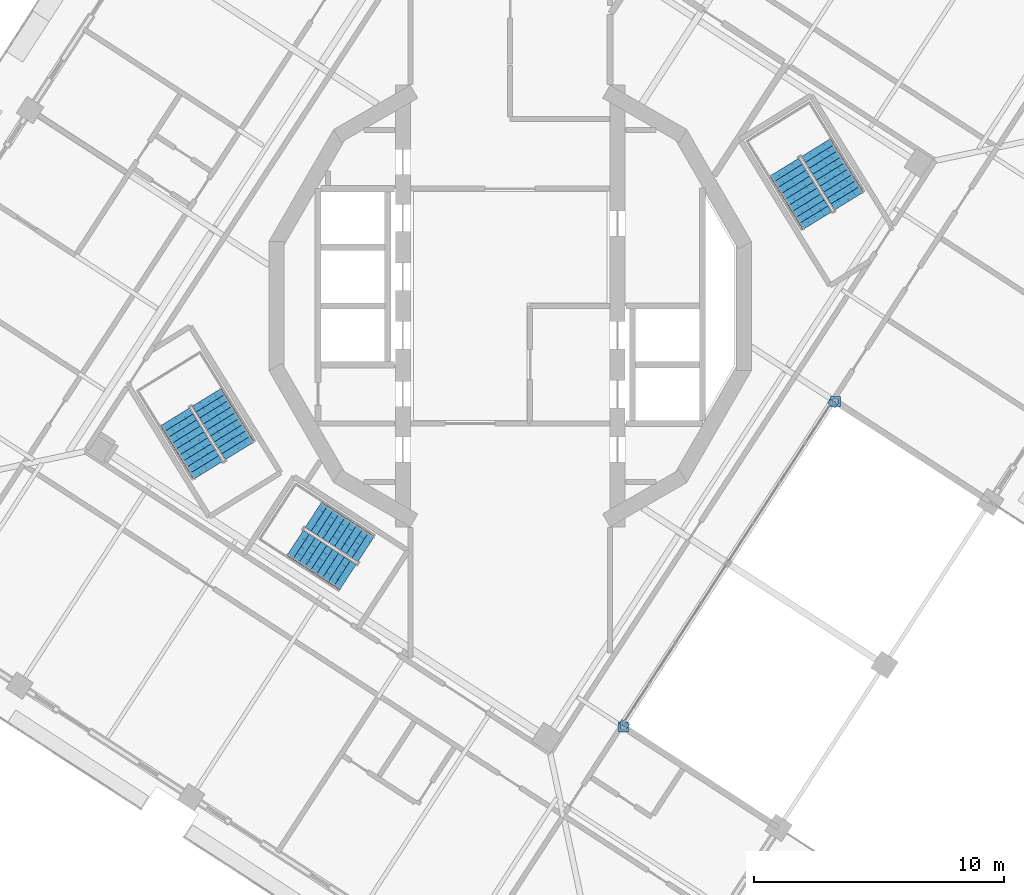
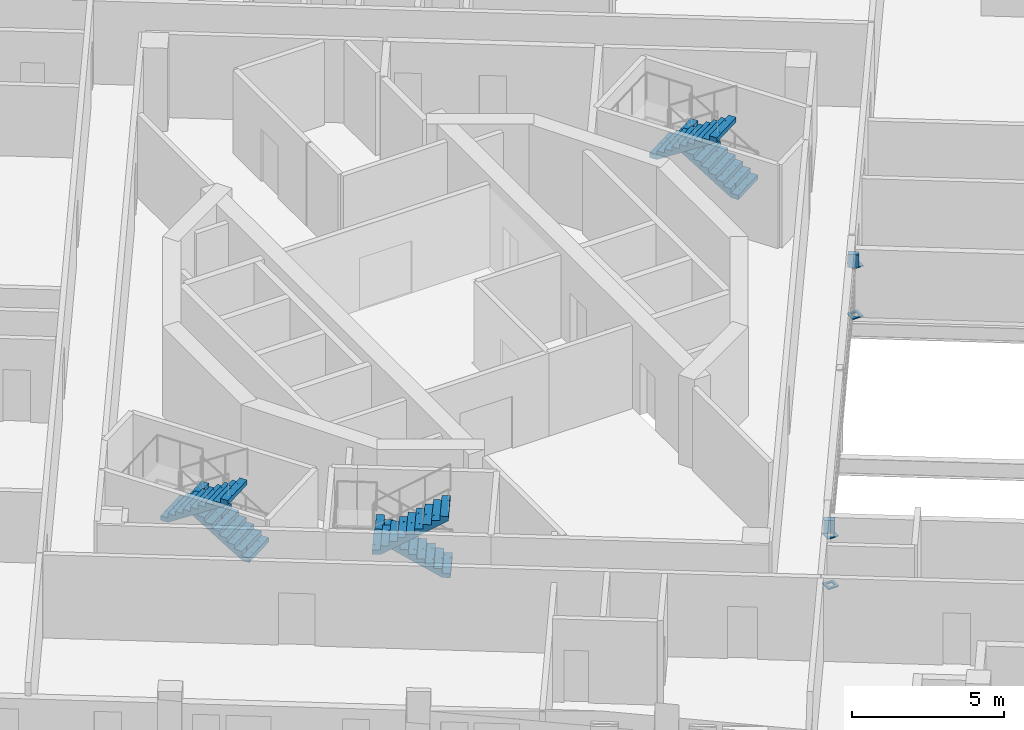
# One storey, part 11 of 17: 6 discrete accessories, 6 stair flights, 3 elements without a shape of their own.
"""IFC4 building model written with IfcOpenShell, lengths in metres."""

from ifc_helpers import new_model, si_unit, direction, frame, origin, place, context, subcontext, project, spatial, polyline, outline, extrude, material, layer, layer_set, type_object, element, aggregate, save


model = new_model("IFC4")

# Units and contexts
model_context = context("Model", 3, precision=1e-05, world=origin(), true_north=direction((0.0, 1.0)))
body_context = subcontext(model_context, "Body", "Model", "MODEL_VIEW")
ifc_project = project(units=[si_unit("LENGTHUNIT", "METRE"), si_unit("AREAUNIT", "SQUARE_METRE"), si_unit("VOLUMEUNIT", "CUBIC_METRE"), si_unit("PLANEANGLEUNIT", "RADIAN"), si_unit("MASSUNIT", "GRAM", prefix="KILO")], contexts=[model_context])

# Site, building, storey
site_placement = place(None, origin())
site = spatial("IfcSite", under=ifc_project, at=site_placement, CompositionType="ELEMENT")
building_placement = place(site_placement, origin())
building = spatial("IfcBuilding", under=site, at=building_placement, Name="Cantera Rosa Tower", CompositionType="ELEMENT")
storey_placement = place(building_placement, frame((0.0, 0.0, 254.10009765625)))
storey = spatial("IfcBuildingStorey", under=building, at=storey_placement, Name="L56", CompositionType="ELEMENT", Elevation=254.10009765625)

# Stair, stair flights
ifc_material_1 = material(Name="Concrete C35/45", Category="concrete")
stair_type_1 = type_object("IfcStairType", Name="EXIT STAIR 1200 DOGLEG", PredefinedType="HALF_TURN_STAIR", material=ifc_material_1)
stair_1_placement = place(storey_placement, origin())
stair_1 = element("IfcStair", 1, at=stair_1_placement, inside=storey, type_object=stair_type_1, Name="L56 ST-53", PredefinedType="HALF_TURN_STAIR")
ifc_material_2 = material(Name="Concrete C35/45", Category="concrete")
stair_flight_type_1 = type_object("IfcStairFlightType", Name="STAIR FLIGHT 1200 R20x180", PredefinedType="STRAIGHT", material=ifc_material_2)
stair_flight_1_placement = place(storey_placement, frame((-5.76318359375, -9.728271484375, 0.0), z_axis=(0.0, 0.0, 1.0), x_axis=(-0.838670567945, 0.544639035015, 0.0)))
stair_flight_1 = element("IfcStairFlight", 2, at=stair_flight_1_placement, type_object=stair_flight_type_1, Name="ST-53 flight 1", NumberOfRisers=10, NumberOfTreads=9, PredefinedType="STRAIGHT", RiserHeight=0.18, TreadLength=0.28, context=body_context, shape_type="SweptSolid", body=[
    extrude(outline(polyline([(0.0, 0.0), (0.0, 0.179931640625), (0.280029296875, 0.179931640625), (0.280029296875, 0.360107421875), (0.56005859375, 0.360107421875), (0.56005859375, 0.5400390625), (0.840087890625, 0.5400390625), (0.840087890625, 0.719970703125), (1.1201171875, 0.719970703125), (1.1201171875, 0.89990234375), (1.39990234375, 0.89990234375), (1.39990234375, 1.080078125), (1.679931640625, 1.080078125), (1.679931640625, 1.260009765625), (1.9599609375, 1.260009765625), (1.9599609375, 1.43994140625), (2.239990234375, 1.43994140625), (2.239990234375, 1.6201171875), (2.52001953125, 1.6201171875), (2.52001953125, 1.800048828125), (2.52001953125, 1.44189453125), (0.277099609375, 0.0), (0.0, 0.0)])), frame((0.0, 0.60009765625, 0.0), z_axis=(0.0, -1.0, 0.0), x_axis=(1.0, 0.0, 0.0)), (0.0, 0.0, 1.0), 0.298583984375),
    extrude(outline(polyline([(0.0, 0.0), (0.0, 0.179931640625), (0.280029296875, 0.179931640625), (0.280029296875, 0.360107421875), (0.56005859375, 0.360107421875), (0.56005859375, 0.5400390625), (0.840087890625, 0.5400390625), (0.840087890625, 0.719970703125), (1.1201171875, 0.719970703125), (1.1201171875, 0.89990234375), (1.39990234375, 0.89990234375), (1.39990234375, 1.080078125), (1.679931640625, 1.080078125), (1.679931640625, 1.260009765625), (1.9599609375, 1.260009765625), (1.9599609375, 1.43994140625), (2.239990234375, 1.43994140625), (2.239990234375, 1.6201171875), (2.52001953125, 1.6201171875), (2.52001953125, 1.800048828125), (2.52001953125, 1.44189453125), (0.277099609375, 0.0), (0.0, 0.0)])), frame((0.0, 0.29931640625, 0.0), z_axis=(0.0, -1.0, 0.0), x_axis=(1.0, 0.0, 0.0)), (0.0, 0.0, 1.0), 0.298583984375),
    extrude(outline(polyline([(0.0, 0.0), (0.0, 0.179931640625), (0.280029296875, 0.179931640625), (0.280029296875, 0.360107421875), (0.56005859375, 0.360107421875), (0.56005859375, 0.5400390625), (0.840087890625, 0.5400390625), (0.840087890625, 0.719970703125), (1.1201171875, 0.719970703125), (1.1201171875, 0.89990234375), (1.39990234375, 0.89990234375), (1.39990234375, 1.080078125), (1.679931640625, 1.080078125), (1.679931640625, 1.260009765625), (1.9599609375, 1.260009765625), (1.9599609375, 1.43994140625), (2.239990234375, 1.43994140625), (2.239990234375, 1.6201171875), (2.52001953125, 1.6201171875), (2.52001953125, 1.800048828125), (2.52001953125, 1.44189453125), (0.277099609375, 0.0), (0.0, 0.0)])), frame((0.0, -0.0009765625, 0.0), z_axis=(0.0, -1.0, 0.0), x_axis=(1.0, 0.0, 0.0)), (0.0, 0.0, 1.0), 0.298583984375),
    extrude(outline(polyline([(0.0, 0.0), (0.0, 0.179931640625), (0.280029296875, 0.179931640625), (0.280029296875, 0.360107421875), (0.56005859375, 0.360107421875), (0.56005859375, 0.5400390625), (0.840087890625, 0.5400390625), (0.840087890625, 0.719970703125), (1.1201171875, 0.719970703125), (1.1201171875, 0.89990234375), (1.39990234375, 0.89990234375), (1.39990234375, 1.080078125), (1.679931640625, 1.080078125), (1.679931640625, 1.260009765625), (1.9599609375, 1.260009765625), (1.9599609375, 1.43994140625), (2.239990234375, 1.43994140625), (2.239990234375, 1.6201171875), (2.52001953125, 1.6201171875), (2.52001953125, 1.800048828125), (2.52001953125, 1.44189453125), (0.277099609375, 0.0), (0.0, 0.0)])), frame((0.0, -0.3017578125, 0.0), z_axis=(0.0, -1.0, 0.0), x_axis=(1.0, 0.0, 0.0)), (0.0, 0.0, 1.0), 0.298583984375),
])
stair_flight_2_placement = place(storey_placement, frame((-8.61181640625, -9.488037109375, 1.7998046875), z_axis=(0.0, 0.0, 1.0), x_axis=(0.838670567945, -0.544639035015, 0.0)))
stair_flight_2 = element("IfcStairFlight", 3, at=stair_flight_2_placement, type_object=stair_flight_type_1, Name="ST-53 flight 2", NumberOfRisers=10, NumberOfTreads=9, PredefinedType="STRAIGHT", RiserHeight=0.18, TreadLength=0.28, context=body_context, shape_type="SweptSolid", body=[
    extrude(outline(polyline([(0.0, 0.0), (0.0, 0.179931640625), (0.280029296875, 0.179931640625), (0.280029296875, 0.360107421875), (0.56005859375, 0.360107421875), (0.56005859375, 0.5400390625), (0.840087890625, 0.5400390625), (0.840087890625, 0.719970703125), (1.1201171875, 0.719970703125), (1.1201171875, 0.89990234375), (1.39990234375, 0.89990234375), (1.39990234375, 1.080078125), (1.679931640625, 1.080078125), (1.679931640625, 1.260009765625), (1.9599609375, 1.260009765625), (1.9599609375, 1.43994140625), (2.239990234375, 1.43994140625), (2.239990234375, 1.6201171875), (2.52001953125, 1.6201171875), (2.52001953125, 1.800048828125), (2.52001953125, 1.44189453125), (0.277099609375, 0.0), (0.0, 0.0)])), frame((0.0, 0.60009765625, 0.0), z_axis=(0.0, -1.0, 0.0), x_axis=(1.0, 0.0, 0.0)), (0.0, 0.0, 1.0), 0.298583984375),
    extrude(outline(polyline([(0.0, 0.0), (0.0, 0.179931640625), (0.280029296875, 0.179931640625), (0.280029296875, 0.360107421875), (0.56005859375, 0.360107421875), (0.56005859375, 0.5400390625), (0.840087890625, 0.5400390625), (0.840087890625, 0.719970703125), (1.1201171875, 0.719970703125), (1.1201171875, 0.89990234375), (1.39990234375, 0.89990234375), (1.39990234375, 1.080078125), (1.679931640625, 1.080078125), (1.679931640625, 1.260009765625), (1.9599609375, 1.260009765625), (1.9599609375, 1.43994140625), (2.239990234375, 1.43994140625), (2.239990234375, 1.6201171875), (2.52001953125, 1.6201171875), (2.52001953125, 1.800048828125), (2.52001953125, 1.44189453125), (0.277099609375, 0.0), (0.0, 0.0)])), frame((0.0, 0.29931640625, 0.0), z_axis=(0.0, -1.0, 0.0), x_axis=(1.0, 0.0, 0.0)), (0.0, 0.0, 1.0), 0.298583984375),
    extrude(outline(polyline([(0.0, 0.0), (0.0, 0.179931640625), (0.280029296875, 0.179931640625), (0.280029296875, 0.360107421875), (0.56005859375, 0.360107421875), (0.56005859375, 0.5400390625), (0.840087890625, 0.5400390625), (0.840087890625, 0.719970703125), (1.1201171875, 0.719970703125), (1.1201171875, 0.89990234375), (1.39990234375, 0.89990234375), (1.39990234375, 1.080078125), (1.679931640625, 1.080078125), (1.679931640625, 1.260009765625), (1.9599609375, 1.260009765625), (1.9599609375, 1.43994140625), (2.239990234375, 1.43994140625), (2.239990234375, 1.6201171875), (2.52001953125, 1.6201171875), (2.52001953125, 1.800048828125), (2.52001953125, 1.44189453125), (0.277099609375, 0.0), (0.0, 0.0)])), frame((0.0, -0.0009765625, 0.0), z_axis=(0.0, -1.0, 0.0), x_axis=(1.0, 0.0, 0.0)), (0.0, 0.0, 1.0), 0.298583984375),
    extrude(outline(polyline([(0.0, 0.0), (0.0, 0.179931640625), (0.280029296875, 0.179931640625), (0.280029296875, 0.360107421875), (0.56005859375, 0.360107421875), (0.56005859375, 0.5400390625), (0.840087890625, 0.5400390625), (0.840087890625, 0.719970703125), (1.1201171875, 0.719970703125), (1.1201171875, 0.89990234375), (1.39990234375, 0.89990234375), (1.39990234375, 1.080078125), (1.679931640625, 1.080078125), (1.679931640625, 1.260009765625), (1.9599609375, 1.260009765625), (1.9599609375, 1.43994140625), (2.239990234375, 1.43994140625), (2.239990234375, 1.6201171875), (2.52001953125, 1.6201171875), (2.52001953125, 1.800048828125), (2.52001953125, 1.44189453125), (0.277099609375, 0.0), (0.0, 0.0)])), frame((0.0, -0.3017578125, 0.0), z_axis=(0.0, -1.0, 0.0), x_axis=(1.0, 0.0, 0.0)), (0.0, 0.0, 1.0), 0.298583984375),
])
aggregate(stair_1, [stair_flight_1, stair_flight_2])

ifc_material_3 = material(Name="Concrete C35/45", Category="concrete")
stair_type_2 = type_object("IfcStairType", Name="EXIT STAIR 1350 DOGLEG", PredefinedType="HALF_TURN_STAIR", material=ifc_material_3)
stair_2_placement = place(storey_placement, origin())
stair_2 = element("IfcStair", 4, at=stair_2_placement, inside=storey, type_object=stair_type_2, Name="L56 ST-51", PredefinedType="HALF_TURN_STAIR")
ifc_material_4 = material(Name="Concrete C35/45", Category="concrete")
stair_flight_type_2 = type_object("IfcStairFlightType", Name="STAIR FLIGHT 1350 R20x180", PredefinedType="STRAIGHT", material=ifc_material_4)
stair_flight_3_placement = place(storey_placement, frame((13.5732421875, 4.2021484375, 0.0), z_axis=(0.0, 0.0, 1.0), x_axis=(-0.524976585286, 0.851116669383, 0.0)))
stair_flight_3 = element("IfcStairFlight", 5, at=stair_flight_3_placement, type_object=stair_flight_type_2, Name="ST-51 flight 1", NumberOfRisers=10, NumberOfTreads=9, PredefinedType="STRAIGHT", RiserHeight=0.18, TreadLength=0.28, context=body_context, shape_type="SweptSolid", body=[
    extrude(outline(polyline([(0.0, 0.0), (0.0, 0.179931640625), (0.280029296875, 0.179931640625), (0.280029296875, 0.360107421875), (0.56005859375, 0.360107421875), (0.56005859375, 0.5400390625), (0.840087890625, 0.5400390625), (0.840087890625, 0.719970703125), (1.1201171875, 0.719970703125), (1.1201171875, 0.89990234375), (1.39990234375, 0.89990234375), (1.39990234375, 1.080078125), (1.679931640625, 1.080078125), (1.679931640625, 1.260009765625), (1.9599609375, 1.260009765625), (1.9599609375, 1.43994140625), (2.239990234375, 1.43994140625), (2.239990234375, 1.6201171875), (2.52001953125, 1.6201171875), (2.52001953125, 1.800048828125), (2.52001953125, 1.44189453125), (0.277099609375, 0.0), (0.0, 0.0)])), frame((0.0, 0.675048828125, 0.0), z_axis=(0.0, -1.0, 0.0), x_axis=(1.0, 0.0, 0.0)), (0.0, 0.0, 1.0), 0.3359375),
    extrude(outline(polyline([(0.0, 0.0), (0.0, 0.179931640625), (0.280029296875, 0.179931640625), (0.280029296875, 0.360107421875), (0.56005859375, 0.360107421875), (0.56005859375, 0.5400390625), (0.840087890625, 0.5400390625), (0.840087890625, 0.719970703125), (1.1201171875, 0.719970703125), (1.1201171875, 0.89990234375), (1.39990234375, 0.89990234375), (1.39990234375, 1.080078125), (1.679931640625, 1.080078125), (1.679931640625, 1.260009765625), (1.9599609375, 1.260009765625), (1.9599609375, 1.43994140625), (2.239990234375, 1.43994140625), (2.239990234375, 1.6201171875), (2.52001953125, 1.6201171875), (2.52001953125, 1.800048828125), (2.52001953125, 1.44189453125), (0.277099609375, 0.0), (0.0, 0.0)])), frame((0.0, 0.337158203125, 0.0), z_axis=(0.0, -1.0, 0.0), x_axis=(1.0, 0.0, 0.0)), (0.0, 0.0, 1.0), 0.3359375),
    extrude(outline(polyline([(0.0, 0.0), (0.0, 0.179931640625), (0.280029296875, 0.179931640625), (0.280029296875, 0.360107421875), (0.56005859375, 0.360107421875), (0.56005859375, 0.5400390625), (0.840087890625, 0.5400390625), (0.840087890625, 0.719970703125), (1.1201171875, 0.719970703125), (1.1201171875, 0.89990234375), (1.39990234375, 0.89990234375), (1.39990234375, 1.080078125), (1.679931640625, 1.080078125), (1.679931640625, 1.260009765625), (1.9599609375, 1.260009765625), (1.9599609375, 1.43994140625), (2.239990234375, 1.43994140625), (2.239990234375, 1.6201171875), (2.52001953125, 1.6201171875), (2.52001953125, 1.800048828125), (2.52001953125, 1.44189453125), (0.277099609375, 0.0), (0.0, 0.0)])), frame((0.0, -0.000732421875, 0.0), z_axis=(0.0, -1.0, 0.0), x_axis=(1.0, 0.0, 0.0)), (0.0, 0.0, 1.0), 0.3359375),
    extrude(outline(polyline([(0.0, 0.0), (0.0, 0.179931640625), (0.280029296875, 0.179931640625), (0.280029296875, 0.360107421875), (0.56005859375, 0.360107421875), (0.56005859375, 0.5400390625), (0.840087890625, 0.5400390625), (0.840087890625, 0.719970703125), (1.1201171875, 0.719970703125), (1.1201171875, 0.89990234375), (1.39990234375, 0.89990234375), (1.39990234375, 1.080078125), (1.679931640625, 1.080078125), (1.679931640625, 1.260009765625), (1.9599609375, 1.260009765625), (1.9599609375, 1.43994140625), (2.239990234375, 1.43994140625), (2.239990234375, 1.6201171875), (2.52001953125, 1.6201171875), (2.52001953125, 1.800048828125), (2.52001953125, 1.44189453125), (0.277099609375, 0.0), (0.0, 0.0)])), frame((0.0, -0.338623046875, 0.0), z_axis=(0.0, -1.0, 0.0), x_axis=(1.0, 0.0, 0.0)), (0.0, 0.0, 1.0), 0.3359375),
])
stair_flight_4_placement = place(storey_placement, frame((10.9736328125, 5.5595703125, 1.7998046875), z_axis=(0.0, 0.0, 1.0), x_axis=(0.524976585286, -0.851116669383, 0.0)))
stair_flight_4 = element("IfcStairFlight", 6, at=stair_flight_4_placement, type_object=stair_flight_type_2, Name="ST-51 flight 2", NumberOfRisers=10, NumberOfTreads=9, PredefinedType="STRAIGHT", RiserHeight=0.18, TreadLength=0.28, context=body_context, shape_type="SweptSolid", body=[
    extrude(outline(polyline([(0.0, 0.0), (0.0, 0.179931640625), (0.280029296875, 0.179931640625), (0.280029296875, 0.360107421875), (0.56005859375, 0.360107421875), (0.56005859375, 0.5400390625), (0.840087890625, 0.5400390625), (0.840087890625, 0.719970703125), (1.1201171875, 0.719970703125), (1.1201171875, 0.89990234375), (1.39990234375, 0.89990234375), (1.39990234375, 1.080078125), (1.679931640625, 1.080078125), (1.679931640625, 1.260009765625), (1.9599609375, 1.260009765625), (1.9599609375, 1.43994140625), (2.239990234375, 1.43994140625), (2.239990234375, 1.6201171875), (2.52001953125, 1.6201171875), (2.52001953125, 1.800048828125), (2.52001953125, 1.44189453125), (0.277099609375, 0.0), (0.0, 0.0)])), frame((0.0, 0.675048828125, 0.0), z_axis=(0.0, -1.0, 0.0), x_axis=(1.0, 0.0, 0.0)), (0.0, 0.0, 1.0), 0.3359375),
    extrude(outline(polyline([(0.0, 0.0), (0.0, 0.179931640625), (0.280029296875, 0.179931640625), (0.280029296875, 0.360107421875), (0.56005859375, 0.360107421875), (0.56005859375, 0.5400390625), (0.840087890625, 0.5400390625), (0.840087890625, 0.719970703125), (1.1201171875, 0.719970703125), (1.1201171875, 0.89990234375), (1.39990234375, 0.89990234375), (1.39990234375, 1.080078125), (1.679931640625, 1.080078125), (1.679931640625, 1.260009765625), (1.9599609375, 1.260009765625), (1.9599609375, 1.43994140625), (2.239990234375, 1.43994140625), (2.239990234375, 1.6201171875), (2.52001953125, 1.6201171875), (2.52001953125, 1.800048828125), (2.52001953125, 1.44189453125), (0.277099609375, 0.0), (0.0, 0.0)])), frame((0.0, 0.337158203125, 0.0), z_axis=(0.0, -1.0, 0.0), x_axis=(1.0, 0.0, 0.0)), (0.0, 0.0, 1.0), 0.3359375),
    extrude(outline(polyline([(0.0, 0.0), (0.0, 0.179931640625), (0.280029296875, 0.179931640625), (0.280029296875, 0.360107421875), (0.56005859375, 0.360107421875), (0.56005859375, 0.5400390625), (0.840087890625, 0.5400390625), (0.840087890625, 0.719970703125), (1.1201171875, 0.719970703125), (1.1201171875, 0.89990234375), (1.39990234375, 0.89990234375), (1.39990234375, 1.080078125), (1.679931640625, 1.080078125), (1.679931640625, 1.260009765625), (1.9599609375, 1.260009765625), (1.9599609375, 1.43994140625), (2.239990234375, 1.43994140625), (2.239990234375, 1.6201171875), (2.52001953125, 1.6201171875), (2.52001953125, 1.800048828125), (2.52001953125, 1.44189453125), (0.277099609375, 0.0), (0.0, 0.0)])), frame((0.0, -0.000732421875, 0.0), z_axis=(0.0, -1.0, 0.0), x_axis=(1.0, 0.0, 0.0)), (0.0, 0.0, 1.0), 0.3359375),
    extrude(outline(polyline([(0.0, 0.0), (0.0, 0.179931640625), (0.280029296875, 0.179931640625), (0.280029296875, 0.360107421875), (0.56005859375, 0.360107421875), (0.56005859375, 0.5400390625), (0.840087890625, 0.5400390625), (0.840087890625, 0.719970703125), (1.1201171875, 0.719970703125), (1.1201171875, 0.89990234375), (1.39990234375, 0.89990234375), (1.39990234375, 1.080078125), (1.679931640625, 1.080078125), (1.679931640625, 1.260009765625), (1.9599609375, 1.260009765625), (1.9599609375, 1.43994140625), (2.239990234375, 1.43994140625), (2.239990234375, 1.6201171875), (2.52001953125, 1.6201171875), (2.52001953125, 1.800048828125), (2.52001953125, 1.44189453125), (0.277099609375, 0.0), (0.0, 0.0)])), frame((0.0, -0.338623046875, 0.0), z_axis=(0.0, -1.0, 0.0), x_axis=(1.0, 0.0, 0.0)), (0.0, 0.0, 1.0), 0.3359375),
])
aggregate(stair_2, [stair_flight_3, stair_flight_4])

stair_3_placement = place(storey_placement, origin())
stair_3 = element("IfcStair", 7, at=stair_3_placement, inside=storey, type_object=stair_type_2, Name="L56 ST-52", PredefinedType="HALF_TURN_STAIR")
stair_flight_5_placement = place(storey_placement, frame((-10.82666015625, -5.7978515625, 0.0), z_axis=(0.0, 0.0, 1.0), x_axis=(-0.524976585286, 0.851116669383, 0.0)))
stair_flight_5 = element("IfcStairFlight", 8, at=stair_flight_5_placement, type_object=stair_flight_type_2, Name="ST-52 flight 1", NumberOfRisers=10, NumberOfTreads=9, PredefinedType="STRAIGHT", RiserHeight=0.18, TreadLength=0.28, context=body_context, shape_type="SweptSolid", body=[
    extrude(outline(polyline([(0.0, 0.0), (0.0, 0.179931640625), (0.280029296875, 0.179931640625), (0.280029296875, 0.360107421875), (0.56005859375, 0.360107421875), (0.56005859375, 0.5400390625), (0.840087890625, 0.5400390625), (0.840087890625, 0.719970703125), (1.1201171875, 0.719970703125), (1.1201171875, 0.89990234375), (1.39990234375, 0.89990234375), (1.39990234375, 1.080078125), (1.679931640625, 1.080078125), (1.679931640625, 1.260009765625), (1.9599609375, 1.260009765625), (1.9599609375, 1.43994140625), (2.239990234375, 1.43994140625), (2.239990234375, 1.6201171875), (2.52001953125, 1.6201171875), (2.52001953125, 1.800048828125), (2.52001953125, 1.44189453125), (0.277099609375, 0.0), (0.0, 0.0)])), frame((0.0, 0.675048828125, 0.0), z_axis=(0.0, -1.0, 0.0), x_axis=(1.0, 0.0, 0.0)), (0.0, 0.0, 1.0), 0.3359375),
    extrude(outline(polyline([(0.0, 0.0), (0.0, 0.179931640625), (0.280029296875, 0.179931640625), (0.280029296875, 0.360107421875), (0.56005859375, 0.360107421875), (0.56005859375, 0.5400390625), (0.840087890625, 0.5400390625), (0.840087890625, 0.719970703125), (1.1201171875, 0.719970703125), (1.1201171875, 0.89990234375), (1.39990234375, 0.89990234375), (1.39990234375, 1.080078125), (1.679931640625, 1.080078125), (1.679931640625, 1.260009765625), (1.9599609375, 1.260009765625), (1.9599609375, 1.43994140625), (2.239990234375, 1.43994140625), (2.239990234375, 1.6201171875), (2.52001953125, 1.6201171875), (2.52001953125, 1.800048828125), (2.52001953125, 1.44189453125), (0.277099609375, 0.0), (0.0, 0.0)])), frame((0.0, 0.337158203125, 0.0), z_axis=(0.0, -1.0, 0.0), x_axis=(1.0, 0.0, 0.0)), (0.0, 0.0, 1.0), 0.3359375),
    extrude(outline(polyline([(0.0, 0.0), (0.0, 0.179931640625), (0.280029296875, 0.179931640625), (0.280029296875, 0.360107421875), (0.56005859375, 0.360107421875), (0.56005859375, 0.5400390625), (0.840087890625, 0.5400390625), (0.840087890625, 0.719970703125), (1.1201171875, 0.719970703125), (1.1201171875, 0.89990234375), (1.39990234375, 0.89990234375), (1.39990234375, 1.080078125), (1.679931640625, 1.080078125), (1.679931640625, 1.260009765625), (1.9599609375, 1.260009765625), (1.9599609375, 1.43994140625), (2.239990234375, 1.43994140625), (2.239990234375, 1.6201171875), (2.52001953125, 1.6201171875), (2.52001953125, 1.800048828125), (2.52001953125, 1.44189453125), (0.277099609375, 0.0), (0.0, 0.0)])), frame((0.0, -0.000732421875, 0.0), z_axis=(0.0, -1.0, 0.0), x_axis=(1.0, 0.0, 0.0)), (0.0, 0.0, 1.0), 0.3359375),
    extrude(outline(polyline([(0.0, 0.0), (0.0, 0.179931640625), (0.280029296875, 0.179931640625), (0.280029296875, 0.360107421875), (0.56005859375, 0.360107421875), (0.56005859375, 0.5400390625), (0.840087890625, 0.5400390625), (0.840087890625, 0.719970703125), (1.1201171875, 0.719970703125), (1.1201171875, 0.89990234375), (1.39990234375, 0.89990234375), (1.39990234375, 1.080078125), (1.679931640625, 1.080078125), (1.679931640625, 1.260009765625), (1.9599609375, 1.260009765625), (1.9599609375, 1.43994140625), (2.239990234375, 1.43994140625), (2.239990234375, 1.6201171875), (2.52001953125, 1.6201171875), (2.52001953125, 1.800048828125), (2.52001953125, 1.44189453125), (0.277099609375, 0.0), (0.0, 0.0)])), frame((0.0, -0.338623046875, 0.0), z_axis=(0.0, -1.0, 0.0), x_axis=(1.0, 0.0, 0.0)), (0.0, 0.0, 1.0), 0.3359375),
])
stair_flight_6_placement = place(storey_placement, frame((-13.42626953125, -4.4404296875, 1.7998046875), z_axis=(0.0, 0.0, 1.0), x_axis=(0.524976585286, -0.851116669383, 0.0)))
stair_flight_6 = element("IfcStairFlight", 9, at=stair_flight_6_placement, type_object=stair_flight_type_2, Name="ST-52 flight 2", NumberOfRisers=10, NumberOfTreads=9, PredefinedType="STRAIGHT", RiserHeight=0.18, TreadLength=0.28, context=body_context, shape_type="SweptSolid", body=[
    extrude(outline(polyline([(0.0, 0.0), (0.0, 0.179931640625), (0.280029296875, 0.179931640625), (0.280029296875, 0.360107421875), (0.56005859375, 0.360107421875), (0.56005859375, 0.5400390625), (0.840087890625, 0.5400390625), (0.840087890625, 0.719970703125), (1.1201171875, 0.719970703125), (1.1201171875, 0.89990234375), (1.39990234375, 0.89990234375), (1.39990234375, 1.080078125), (1.679931640625, 1.080078125), (1.679931640625, 1.260009765625), (1.9599609375, 1.260009765625), (1.9599609375, 1.43994140625), (2.239990234375, 1.43994140625), (2.239990234375, 1.6201171875), (2.52001953125, 1.6201171875), (2.52001953125, 1.800048828125), (2.52001953125, 1.44189453125), (0.277099609375, 0.0), (0.0, 0.0)])), frame((0.0, 0.675048828125, 0.0), z_axis=(0.0, -1.0, 0.0), x_axis=(1.0, 0.0, 0.0)), (0.0, 0.0, 1.0), 0.3359375),
    extrude(outline(polyline([(0.0, 0.0), (0.0, 0.179931640625), (0.280029296875, 0.179931640625), (0.280029296875, 0.360107421875), (0.56005859375, 0.360107421875), (0.56005859375, 0.5400390625), (0.840087890625, 0.5400390625), (0.840087890625, 0.719970703125), (1.1201171875, 0.719970703125), (1.1201171875, 0.89990234375), (1.39990234375, 0.89990234375), (1.39990234375, 1.080078125), (1.679931640625, 1.080078125), (1.679931640625, 1.260009765625), (1.9599609375, 1.260009765625), (1.9599609375, 1.43994140625), (2.239990234375, 1.43994140625), (2.239990234375, 1.6201171875), (2.52001953125, 1.6201171875), (2.52001953125, 1.800048828125), (2.52001953125, 1.44189453125), (0.277099609375, 0.0), (0.0, 0.0)])), frame((0.0, 0.337158203125, 0.0), z_axis=(0.0, -1.0, 0.0), x_axis=(1.0, 0.0, 0.0)), (0.0, 0.0, 1.0), 0.3359375),
    extrude(outline(polyline([(0.0, 0.0), (0.0, 0.179931640625), (0.280029296875, 0.179931640625), (0.280029296875, 0.360107421875), (0.56005859375, 0.360107421875), (0.56005859375, 0.5400390625), (0.840087890625, 0.5400390625), (0.840087890625, 0.719970703125), (1.1201171875, 0.719970703125), (1.1201171875, 0.89990234375), (1.39990234375, 0.89990234375), (1.39990234375, 1.080078125), (1.679931640625, 1.080078125), (1.679931640625, 1.260009765625), (1.9599609375, 1.260009765625), (1.9599609375, 1.43994140625), (2.239990234375, 1.43994140625), (2.239990234375, 1.6201171875), (2.52001953125, 1.6201171875), (2.52001953125, 1.800048828125), (2.52001953125, 1.44189453125), (0.277099609375, 0.0), (0.0, 0.0)])), frame((0.0, -0.000732421875, 0.0), z_axis=(0.0, -1.0, 0.0), x_axis=(1.0, 0.0, 0.0)), (0.0, 0.0, 1.0), 0.3359375),
    extrude(outline(polyline([(0.0, 0.0), (0.0, 0.179931640625), (0.280029296875, 0.179931640625), (0.280029296875, 0.360107421875), (0.56005859375, 0.360107421875), (0.56005859375, 0.5400390625), (0.840087890625, 0.5400390625), (0.840087890625, 0.719970703125), (1.1201171875, 0.719970703125), (1.1201171875, 0.89990234375), (1.39990234375, 0.89990234375), (1.39990234375, 1.080078125), (1.679931640625, 1.080078125), (1.679931640625, 1.260009765625), (1.9599609375, 1.260009765625), (1.9599609375, 1.43994140625), (2.239990234375, 1.43994140625), (2.239990234375, 1.6201171875), (2.52001953125, 1.6201171875), (2.52001953125, 1.800048828125), (2.52001953125, 1.44189453125), (0.277099609375, 0.0), (0.0, 0.0)])), frame((0.0, -0.338623046875, 0.0), z_axis=(0.0, -1.0, 0.0), x_axis=(1.0, 0.0, 0.0)), (0.0, 0.0, 1.0), 0.3359375),
])
aggregate(stair_3, [stair_flight_5, stair_flight_6])

# Discrete accessories
ifc_material_5 = material(Name="Steel ASTM A992 (Fy 345 MPa)", Category="steel")
ifc_layer = layer(ifc_material_5, 0.0400390625)
ifc_layer_set = layer_set([ifc_layer], Name="STEEL BEARING PLATE 40")
discrete_accessory_type = type_object("IfcDiscreteAccessoryType", Name="STEEL BEARING PLATE 40", PredefinedType="ANCHORPLATE", material=ifc_layer_set)
discrete_accessory_1_placement = place(storey_placement, origin())
element("IfcDiscreteAccessory", 10, at=discrete_accessory_1_placement, inside=storey, type_object=discrete_accessory_type, Name="POST PLATE L56-1F", PredefinedType="ANCHORPLATE", context=body_context, shape_type="SweptSolid", body=[
    extrude(outline(polyline([(4.3466796875, -17.067626953125), (4.746826171875, -17.067626953125), (4.746826171875, -16.66748046875), (4.3466796875, -16.66748046875), (4.3466796875, -17.067626953125)]), holes=[polyline([(4.44677734375, -16.967529296875), (4.646728515625, -16.967529296875), (4.646728515625, -16.767578125), (4.44677734375, -16.767578125), (4.44677734375, -16.967529296875)])]), origin(), (0.0, 0.0, 1.0), 0.039794921875),
])
discrete_accessory_2_placement = place(storey_placement, frame((0.0, 0.0, 2.02392578125)))
element("IfcDiscreteAccessory", 11, at=discrete_accessory_2_placement, inside=storey, type_object=discrete_accessory_type, Name="POST PLATE L56-1T", PredefinedType="ANCHORPLATE", context=body_context, shape_type="SweptSolid", body=[
    extrude(outline(polyline([(4.3466796875, -17.067626953125), (4.746826171875, -17.067626953125), (4.746826171875, -16.66748046875), (4.3466796875, -16.66748046875), (4.3466796875, -17.067626953125)]), holes=[polyline([(4.44677734375, -16.967529296875), (4.646728515625, -16.967529296875), (4.646728515625, -16.767578125), (4.44677734375, -16.767578125), (4.44677734375, -16.967529296875)])]), origin(), (0.0, 0.0, 1.0), 0.0400390625),
])
discrete_accessory_3_placement = place(storey_placement, origin())
element("IfcDiscreteAccessory", 12, at=discrete_accessory_3_placement, inside=storey, type_object=discrete_accessory_type, Name="POST PLATE L56-2F", PredefinedType="ANCHORPLATE", context=body_context, shape_type="SweptSolid", body=[
    extrude(outline(polyline([(12.8212890625, -4.017822265625), (13.221435546875, -4.017822265625), (13.221435546875, -3.617919921875), (12.8212890625, -3.617919921875), (12.8212890625, -4.017822265625)]), holes=[polyline([(12.92138671875, -3.91796875), (13.121337890625, -3.91796875), (13.121337890625, -3.718017578125), (12.92138671875, -3.718017578125), (12.92138671875, -3.91796875)])]), origin(), (0.0, 0.0, 1.0), 0.039794921875),
])
discrete_accessory_4_placement = place(storey_placement, frame((0.0, 0.0, 2.02392578125)))
element("IfcDiscreteAccessory", 13, at=discrete_accessory_4_placement, inside=storey, type_object=discrete_accessory_type, Name="POST PLATE L56-2T", PredefinedType="ANCHORPLATE", context=body_context, shape_type="SweptSolid", body=[
    extrude(outline(polyline([(12.8212890625, -4.017822265625), (13.221435546875, -4.017822265625), (13.221435546875, -3.617919921875), (12.8212890625, -3.617919921875), (12.8212890625, -4.017822265625)]), holes=[polyline([(12.92138671875, -3.91796875), (13.121337890625, -3.91796875), (13.121337890625, -3.718017578125), (12.92138671875, -3.718017578125), (12.92138671875, -3.91796875)])]), origin(), (0.0, 0.0, 1.0), 0.0400390625),
])
discrete_accessory_5_placement = place(storey_placement, frame((0.0, 0.0, 2.06396484375)))
element("IfcDiscreteAccessory", 14, at=discrete_accessory_5_placement, inside=storey, type_object=discrete_accessory_type, Name="LINTEL PLATE L56-1", PredefinedType="ANCHORPLATE", context=body_context, shape_type="SweptSolid", body=[
    extrude(outline(polyline([(4.473876953125, -16.552001953125), (4.364990234375, -16.7197265625), (4.671875, -16.919189453125), (4.781005859375, -16.751220703125), (4.473876953125, -16.552001953125)])), origin(), (0.0, 0.0, 1.0), 0.52783203125),
])
discrete_accessory_6_placement = place(storey_placement, frame((0.0, 0.0, 2.06396484375)))
element("IfcDiscreteAccessory", 15, at=discrete_accessory_6_placement, inside=storey, type_object=discrete_accessory_type, Name="LINTEL PLATE L56-2", PredefinedType="ANCHORPLATE", context=body_context, shape_type="SweptSolid", body=[
    extrude(outline(polyline([(13.010498046875, -4.0791015625), (13.119384765625, -3.911376953125), (12.812255859375, -3.7119140625), (12.703369140625, -3.879638671875), (13.010498046875, -4.0791015625)])), origin(), (0.0, 0.0, 1.0), 0.52783203125),
])

save(model, "model.ifc")
